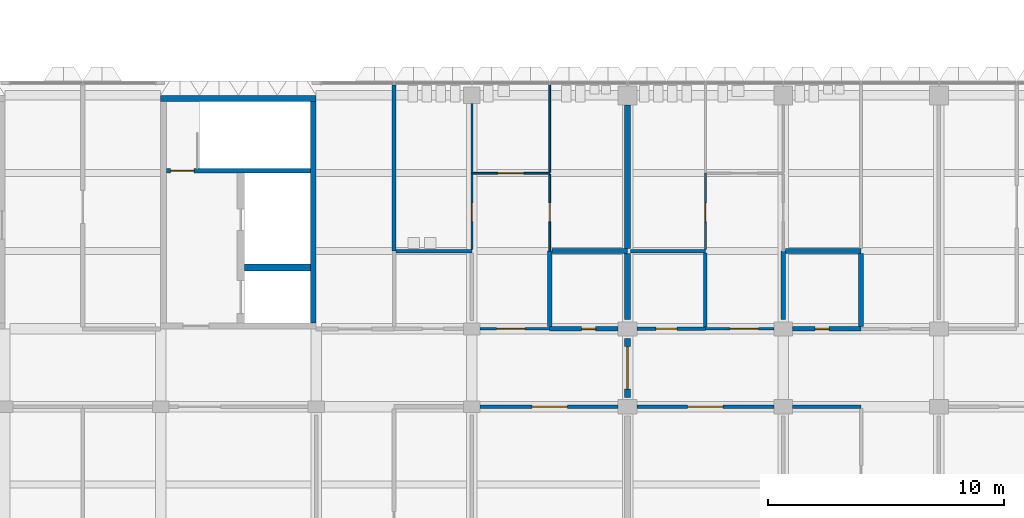
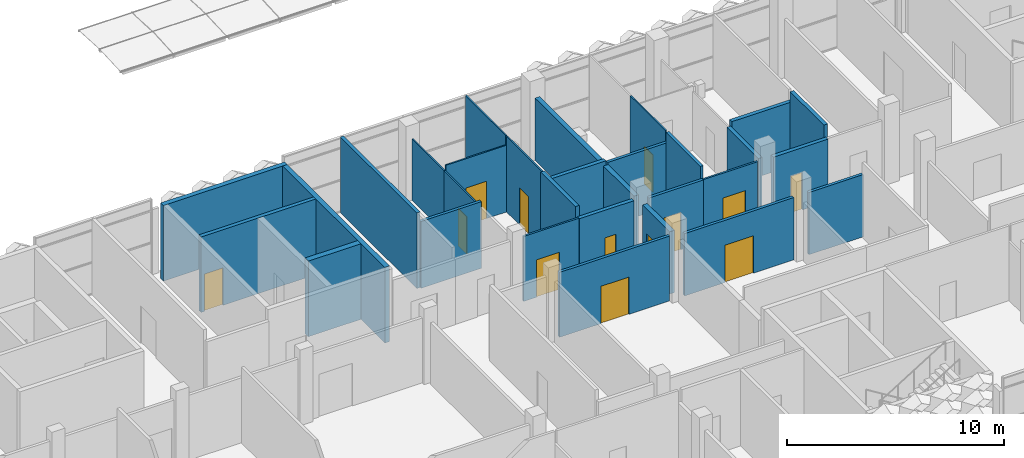
# One storey, part 21 of 61: 30 walls, 13 doors, 13 openings.
"""IFC4 building model written with IfcOpenShell, lengths in metres."""

from ifc_helpers import new_model, si_unit, direction, frame, frame_2d, origin, place, context, subcontext, project, spatial, rectangle, extrude, material, layer, layer_set, type_object, element, fill, save


model = new_model("IFC4")

# Units and contexts
model_context = context("Model", 3, precision=1e-05, world=origin(), true_north=direction((0.0, 1.0)))
body_context = subcontext(model_context, "Body", "Model", "MODEL_VIEW")
ifc_project = project(units=[si_unit("LENGTHUNIT", "METRE"), si_unit("AREAUNIT", "SQUARE_METRE"), si_unit("VOLUMEUNIT", "CUBIC_METRE"), si_unit("PLANEANGLEUNIT", "RADIAN"), si_unit("MASSUNIT", "GRAM", prefix="KILO")], contexts=[model_context])

# Site, building, storey
site_placement = place(None, origin())
site = spatial("IfcSite", under=ifc_project, at=site_placement, CompositionType="ELEMENT")
building_placement = place(site_placement, origin())
building = spatial("IfcBuilding", under=site, at=building_placement, Name="Lantern Court Research Institute", CompositionType="ELEMENT")
storey_placement = place(building_placement, frame((0.0, 0.0, 23.39990234375)))
storey = spatial("IfcBuildingStorey", under=building, at=storey_placement, Name="L05", CompositionType="ELEMENT", Elevation=23.39990234375)

# Wall
ifc_material_1 = material(Name="Double-stud acoustic gypsum board partition, mineral wool filled")
ifc_layer_1 = layer(ifc_material_1, 0.175048828125)
ifc_layer_set_1 = layer_set([ifc_layer_1], Name="Double-stud acoustic gypsum board partition, mineral wool filled")
wall_type_1 = type_object("IfcWallType", Name="Acoustic partition 175 EI 60", PredefinedType="PARTITIONING", material=ifc_layer_set_1)
wall_1_placement = place(storey_placement, frame((42.89990234375, 16.5, 0.0), z_axis=(0.0, 0.0, 1.0), x_axis=(0.0, 1.0, 0.0)))
element("IfcWall", 1, at=wall_1_placement, inside=storey, type_object=wall_type_1, Name="Acoustic partition 175 EI 60", PredefinedType="PARTITIONING", context=body_context, shape_type="SweptSolid", body=[
    extrude(rectangle(XDim=7.050048828125, YDim=0.175048828125, at=frame_2d((3.52490234375, 0.0))), origin(), (0.0, 0.0, 1.0), 4.25),
])

# Wall, opening, door
ifc_material_2 = material(Name="Fire-rated gypsum board partition, mineral wool filled")
ifc_layer_2 = layer(ifc_material_2, 0.199951171875)
ifc_layer_set_2 = layer_set([ifc_layer_2], Name="Fire-rated gypsum board partition, mineral wool filled")
wall_type_2 = type_object("IfcWallType", Name="Compartment wall 200 EI 120", PredefinedType="PARTITIONING", material=ifc_layer_set_2)
wall_2_placement = place(storey_placement, frame((49.5, 13.199951171875, 0.0), z_axis=(0.0, 0.0, 1.0), x_axis=(1.0, 0.0, 0.0)))
wall_2 = element("IfcWall", 2, at=wall_2_placement, inside=storey, type_object=wall_type_2, Name="Compartment wall 200 EI 120", PredefinedType="PARTITIONING", context=body_context, shape_type="SweptSolid", body=[
    extrude(rectangle(XDim=2.89990234375, YDim=0.199951171875, at=frame_2d((1.449951171875, 0.0))), origin(), (0.0, 0.0, 1.0), 3.650146484375),
])
opening_1_placement = place(wall_2_placement, frame((1.35009765625, 0.0, 0.0)))
opening_1 = element("IfcOpeningElement", 3, at=opening_1_placement, cuts=wall_2, Name="Opening D4510", PredefinedType="OPENING", context=body_context, shape_type="SweptSolid", body=[
    extrude(rectangle(XDim=0.60009765625, YDim=2.10009765625, at=frame_2d((0.300048828125, 1.050048828125))), frame((0.0, 0.10986328125, 0.0), z_axis=(0.0, -1.0, 0.0), x_axis=(1.0, 0.0, 0.0)), (0.0, 0.0, 1.0), 0.219970703125),
])
ifc_material_3 = material(Name="Solid-core timber door leaf", Category="wood")
ifc_layer_3 = layer(ifc_material_3, 0.06005859375)
ifc_layer_set_3 = layer_set([ifc_layer_3], Name="Solid-core timber door leaf")
door_type_1 = type_object("IfcDoorType", Name="Service riser door 600 x 2100 single FD60", OperationType="NOTDEFINED", PredefinedType="DOOR", material=ifc_layer_set_3)
door_1_placement = place(opening_1_placement, origin())
door_1 = element("IfcDoor", 4, at=door_1_placement, inside=storey, type_object=door_type_1, Name="Door D4510", OperationType="SINGLE_SWING_RIGHT", OverallHeight=2.10009765625, OverallWidth=0.60009765625, PredefinedType="DOOR", context=body_context, shape_type="SweptSolid", body=[
    extrude(rectangle(XDim=0.60009765625, YDim=2.10009765625, at=frame_2d((0.300048828125, 1.050048828125))), frame((0.0, 0.030029296875, 0.0), z_axis=(0.0, -1.0, 0.0), x_axis=(1.0, 0.0, 0.0)), (0.0, 0.0, 1.0), 0.06005859375),
])
fill(opening_1, door_1)

# Walls
wall_3_placement = place(storey_placement, frame((49.5, 13.300048828125, 0.0), z_axis=(0.0, 0.0, 1.0), x_axis=(0.0, 1.0, 0.0)))
element("IfcWall", 5, at=wall_3_placement, inside=storey, type_object=wall_type_2, Name="Compartment wall 200 EI 120", PredefinedType="PARTITIONING", context=body_context, shape_type="SweptSolid", body=[
    extrude(rectangle(XDim=3.199951171875, YDim=0.199951171875, at=frame_2d((1.60009765625, 0.0))), origin(), (0.0, 0.0, 1.0), 4.25),
])
wall_4_placement = place(storey_placement, frame((52.800048828125, 16.5, 0.0), z_axis=(0.0, 0.0, 1.0), x_axis=(-1.0, 0.0, 0.0)))
element("IfcWall", 6, at=wall_4_placement, inside=storey, type_object=wall_type_2, Name="Compartment wall 200 EI 120", PredefinedType="PARTITIONING", context=body_context, shape_type="SweptSolid", body=[
    extrude(rectangle(XDim=3.199951171875, YDim=0.199951171875, at=frame_2d((1.60009765625, 0.0))), origin(), (0.0, 0.0, 1.0), 3.75),
])

# Wall, opening, door
wall_5_placement = place(storey_placement, frame((59.800048828125, 13.199951171875, 0.0), z_axis=(0.0, 0.0, 1.0), x_axis=(1.0, 0.0, 0.0)))
wall_5 = element("IfcWall", 7, at=wall_5_placement, inside=storey, type_object=wall_type_2, Name="Compartment wall 200 EI 120", PredefinedType="PARTITIONING", context=body_context, shape_type="SweptSolid", body=[
    extrude(rectangle(XDim=2.89990234375, YDim=0.199951171875, at=frame_2d((1.449951171875, 0.0))), origin(), (0.0, 0.0, 1.0), 3.5),
])
opening_2_placement = place(wall_5_placement, frame((0.949951171875, 0.0, 0.0)))
opening_2 = element("IfcOpeningElement", 8, at=opening_2_placement, cuts=wall_5, Name="Opening D5505", PredefinedType="OPENING", context=body_context, shape_type="SweptSolid", body=[
    extrude(rectangle(XDim=0.60009765625, YDim=2.10009765625, at=frame_2d((0.300048828125, 1.050048828125))), frame((0.0, 0.10986328125, 0.0), z_axis=(0.0, -1.0, 0.0), x_axis=(1.0, 0.0, 0.0)), (0.0, 0.0, 1.0), 0.219970703125),
])
door_2_placement = place(opening_2_placement, origin())
door_2 = element("IfcDoor", 9, at=door_2_placement, inside=storey, type_object=door_type_1, Name="Door D5505", OperationType="SINGLE_SWING_RIGHT", OverallHeight=2.10009765625, OverallWidth=0.60009765625, PredefinedType="DOOR", context=body_context, shape_type="SweptSolid", body=[
    extrude(rectangle(XDim=0.60009765625, YDim=2.10009765625, at=frame_2d((0.300048828125, 1.050048828125))), frame((0.0, 0.030029296875, 0.0), z_axis=(0.0, -1.0, 0.0), x_axis=(1.0, 0.0, 0.0)), (0.0, 0.0, 1.0), 0.06005859375),
])
fill(opening_2, door_2)

# Walls
wall_6_placement = place(storey_placement, frame((59.39990234375, 13.60009765625, 0.0), z_axis=(0.0, 0.0, 1.0), x_axis=(0.0, 1.0, 0.0)))
element("IfcWall", 10, at=wall_6_placement, inside=storey, type_object=wall_type_2, Name="Compartment wall 200 EI 120", PredefinedType="PARTITIONING", context=body_context, shape_type="SweptSolid", body=[
    extrude(rectangle(XDim=2.89990234375, YDim=0.199951171875, at=frame_2d((1.449951171875, 0.0))), origin(), (0.0, 0.0, 1.0), 3.300048828125),
])
wall_7_placement = place(storey_placement, frame((62.699951171875, 16.5, 0.0), z_axis=(0.0, 0.0, 1.0), x_axis=(-1.0, 0.0, 0.0)))
element("IfcWall", 11, at=wall_7_placement, inside=storey, type_object=wall_type_2, Name="Compartment wall 200 EI 120", PredefinedType="PARTITIONING", context=body_context, shape_type="SweptSolid", body=[
    extrude(rectangle(XDim=3.199951171875, YDim=0.199951171875, at=frame_2d((1.60009765625, 0.0))), origin(), (0.0, 0.0, 1.0), 3.60009765625),
])
wall_8_placement = place(storey_placement, frame((62.699951171875, 13.300048828125, 0.0), z_axis=(0.0, 0.0, 1.0), x_axis=(0.0, 1.0, 0.0)))
element("IfcWall", 12, at=wall_8_placement, inside=storey, type_object=wall_type_2, Name="Compartment wall 200 EI 120", PredefinedType="PARTITIONING", context=body_context, shape_type="SweptSolid", body=[
    extrude(rectangle(XDim=3.099853515625, YDim=0.199951171875, at=frame_2d((1.5498046875, 0.0))), origin(), (0.0, 0.0, 1.0), 4.2001953125),
])

# Wall, opening, door
ifc_material_4 = material(Name="Fire-rated gypsum board partition, mineral wool filled")
ifc_layer_4 = layer(ifc_material_4, 0.14990234375)
ifc_layer_set_4 = layer_set([ifc_layer_4], Name="Fire-rated gypsum board partition, mineral wool filled")
wall_type_3 = type_object("IfcWallType", Name="Laboratory partition 150 EI 60", PredefinedType="PARTITIONING", material=ifc_layer_set_4)
wall_9_placement = place(storey_placement, frame((46.550048828125, 9.89990234375, 0.0), z_axis=(0.0, 0.0, 1.0), x_axis=(1.0, 0.0, 0.0)))
wall_9 = element("IfcWall", 13, at=wall_9_placement, inside=storey, type_object=wall_type_3, Name="Laboratory partition 150 EI 60", PredefinedType="PARTITIONING", context=body_context, shape_type="SweptSolid", body=[
    extrude(rectangle(XDim=5.849853515625, YDim=0.14990234375, at=frame_2d((2.9248046875, 0.0))), origin(), (0.0, 0.0, 1.0), 3.650146484375),
])
opening_3_placement = place(wall_9_placement, frame((2.199951171875, 0.0, 0.0)))
opening_3 = element("IfcOpeningElement", 14, at=opening_3_placement, cuts=wall_9, Name="Opening D4527", PredefinedType="OPENING", context=body_context, shape_type="SweptSolid", body=[
    extrude(rectangle(XDim=1.5, YDim=2.10009765625, at=frame_2d((0.75, 1.050048828125))), frame((0.0, 0.0849609375, 0.0), z_axis=(0.0, -1.0, 0.0), x_axis=(1.0, 0.0, 0.0)), (0.0, 0.0, 1.0), 0.169921875),
])
ifc_material_5 = material(Name="Solid-core timber door leaf with vision panel", Category="wood")
ifc_layer_5 = layer(ifc_material_5, 0.053955078125)
ifc_layer_set_5 = layer_set([ifc_layer_5], Name="Solid-core timber door leaf with vision panel")
door_type_2 = type_object("IfcDoorType", Name="Laboratory double door 1500 x 2100 pair FD30S", OperationType="DOUBLE_DOOR_SINGLE_SWING", PredefinedType="DOOR", material=ifc_layer_set_5)
door_3_placement = place(opening_3_placement, origin())
door_3 = element("IfcDoor", 15, at=door_3_placement, inside=storey, type_object=door_type_2, Name="Door D4527", OperationType="DOUBLE_DOOR_SINGLE_SWING", OverallHeight=2.10009765625, OverallWidth=1.5, PredefinedType="DOOR", context=body_context, shape_type="SweptSolid", body=[
    extrude(rectangle(XDim=1.5, YDim=2.10009765625, at=frame_2d((0.75, 1.050048828125))), frame((0.0, 0.02685546875, 0.0), z_axis=(0.0, -1.0, 0.0), x_axis=(1.0, 0.0, 0.0)), (0.0, 0.0, 1.0), 0.053955078125),
])
fill(opening_3, door_3)

# Wall
wall_10_placement = place(storey_placement, frame((46.199951171875, 16.5, 0.0), z_axis=(0.0, 0.0, 1.0), x_axis=(-1.0, 0.0, 0.0)))
element("IfcWall", 16, at=wall_10_placement, inside=storey, type_object=wall_type_3, Name="Laboratory partition 150 EI 60", PredefinedType="PARTITIONING", context=body_context, shape_type="SweptSolid", body=[
    extrude(rectangle(XDim=3.21240234375, YDim=0.14990234375, at=frame_2d((1.606201171875, 0.0))), origin(), (0.0, 0.0, 1.0), 3.75),
])

# Wall, opening, door
wall_11_placement = place(storey_placement, frame((56.10009765625, 13.199951171875, 0.0), z_axis=(0.0, 0.0, 1.0), x_axis=(-1.0, 0.0, 0.0)))
wall_11 = element("IfcWall", 17, at=wall_11_placement, inside=storey, type_object=wall_type_3, Name="Laboratory partition 150 EI 60", PredefinedType="PARTITIONING", context=body_context, shape_type="SweptSolid", body=[
    extrude(rectangle(XDim=2.900146484375, YDim=0.14990234375, at=frame_2d((1.4501953125, 0.0))), origin(), (0.0, 0.0, 1.0), 3.5),
])
opening_4_placement = place(wall_11_placement, frame((1.199951171875, 0.0, 0.0)))
opening_4 = element("IfcOpeningElement", 18, at=opening_4_placement, cuts=wall_11, Name="Opening D5501", PredefinedType="OPENING", context=body_context, shape_type="SweptSolid", body=[
    extrude(rectangle(XDim=0.89990234375, YDim=2.10009765625, at=frame_2d((0.449951171875, 1.050048828125))), frame((0.0, 0.0849609375, 0.0), z_axis=(0.0, -1.0, 0.0), x_axis=(1.0, 0.0, 0.0)), (0.0, 0.0, 1.0), 0.169921875),
])
ifc_material_6 = material(Name="Solid-core timber door leaf", Category="wood")
ifc_layer_6 = layer(ifc_material_6, 0.053955078125)
ifc_layer_set_6 = layer_set([ifc_layer_6], Name="Solid-core timber door leaf")
door_type_3 = type_object("IfcDoorType", Name="Cleaners store door 900 x 2100 single FD30S", OperationType="NOTDEFINED", PredefinedType="DOOR", material=ifc_layer_set_6)
door_4_placement = place(opening_4_placement, origin())
door_4 = element("IfcDoor", 19, at=door_4_placement, inside=storey, type_object=door_type_3, Name="Door D5501", OperationType="SINGLE_SWING_LEFT", OverallHeight=2.10009765625, OverallWidth=0.89990234375, PredefinedType="DOOR", context=body_context, shape_type="SweptSolid", body=[
    extrude(rectangle(XDim=0.89990234375, YDim=2.10009765625, at=frame_2d((0.449951171875, 1.050048828125))), frame((0.0, 0.02685546875, 0.0), z_axis=(0.0, -1.0, 0.0), x_axis=(1.0, 0.0, 0.0)), (0.0, 0.0, 1.0), 0.053955078125),
])
fill(opening_4, door_4)

wall_12_placement = place(storey_placement, frame((53.199951171875, 9.89990234375, 0.0), z_axis=(0.0, 0.0, 1.0), x_axis=(1.0, 0.0, 0.0)))
wall_12 = element("IfcWall", 20, at=wall_12_placement, inside=storey, type_object=wall_type_3, Name="Laboratory partition 150 EI 60", PredefinedType="PARTITIONING", context=body_context, shape_type="SweptSolid", body=[
    extrude(rectangle(XDim=5.800048828125, YDim=0.14990234375, at=frame_2d((2.89990234375, 0.0))), origin(), (0.0, 0.0, 1.0), 3.5),
])
opening_5_placement = place(wall_12_placement, frame((2.14990234375, 0.0, 0.0)))
opening_5 = element("IfcOpeningElement", 21, at=opening_5_placement, cuts=wall_12, Name="Opening D5513", PredefinedType="OPENING", context=body_context, shape_type="SweptSolid", body=[
    extrude(rectangle(XDim=1.5, YDim=2.10009765625, at=frame_2d((0.75, 1.050048828125))), frame((0.0, 0.0849609375, 0.0), z_axis=(0.0, -1.0, 0.0), x_axis=(1.0, 0.0, 0.0)), (0.0, 0.0, 1.0), 0.169921875),
])
door_5_placement = place(opening_5_placement, origin())
door_5 = element("IfcDoor", 22, at=door_5_placement, inside=storey, type_object=door_type_2, Name="Door D5513", OperationType="DOUBLE_DOOR_SINGLE_SWING", OverallHeight=2.10009765625, OverallWidth=1.5, PredefinedType="DOOR", context=body_context, shape_type="SweptSolid", body=[
    extrude(rectangle(XDim=1.5, YDim=2.10009765625, at=frame_2d((0.75, 1.050048828125))), frame((0.0, 0.02685546875, 0.0), z_axis=(0.0, -1.0, 0.0), x_axis=(1.0, 0.0, 0.0)), (0.0, 0.0, 1.0), 0.053955078125),
])
fill(opening_5, door_5)

# Walls
wall_13_placement = place(storey_placement, frame((59.800048828125, 9.89990234375, 0.0), z_axis=(0.0, 0.0, 1.0), x_axis=(1.0, 0.0, 0.0)))
element("IfcWall", 23, at=wall_13_placement, inside=storey, type_object=wall_type_3, Name="Laboratory partition 150 EI 60", PredefinedType="PARTITIONING", context=body_context, shape_type="SweptSolid", body=[
    extrude(rectangle(XDim=2.89990234375, YDim=0.14990234375, at=frame_2d((1.449951171875, 0.0))), origin(), (0.0, 0.0, 1.0), 3.5),
])
wall_14_placement = place(storey_placement, frame((56.10009765625, 16.5, 0.0), z_axis=(0.0, 0.0, 1.0), x_axis=(-1.0, 0.0, 0.0)))
element("IfcWall", 24, at=wall_14_placement, inside=storey, type_object=wall_type_3, Name="Laboratory partition 150 EI 60", PredefinedType="PARTITIONING", context=body_context, shape_type="SweptSolid", body=[
    extrude(rectangle(XDim=3.175048828125, YDim=0.14990234375, at=frame_2d((1.58740234375, 0.0))), origin(), (0.0, 0.0, 1.0), 3.60009765625),
])
wall_15_placement = place(storey_placement, frame((56.10009765625, 13.27490234375, 0.0), z_axis=(0.0, 0.0, 1.0), x_axis=(0.0, 1.0, 0.0)))
element("IfcWall", 25, at=wall_15_placement, inside=storey, type_object=wall_type_3, Name="Laboratory partition 150 EI 60", PredefinedType="PARTITIONING", context=body_context, shape_type="SweptSolid", body=[
    extrude(rectangle(XDim=3.150146484375, YDim=0.14990234375, at=frame_2d((1.5751953125, 0.0))), origin(), (0.0, 0.0, 1.0), 4.2001953125),
])

# Wall, opening, door
ifc_material_7 = material(Name="Gypsum board partition, mineral wool filled")
ifc_layer_7 = layer(ifc_material_7, 0.10009765625)
ifc_layer_set_7 = layer_set([ifc_layer_7], Name="Gypsum board partition, mineral wool filled")
wall_type_4 = type_object("IfcWallType", Name="Partition 100", PredefinedType="PARTITIONING", material=ifc_layer_set_7)
wall_16_placement = place(storey_placement, frame((46.550048828125, 13.199951171875, 0.0), z_axis=(0.0, 0.0, 1.0), x_axis=(1.0, 0.0, 0.0)))
wall_16 = element("IfcWall", 26, at=wall_16_placement, inside=storey, type_object=wall_type_4, Name="Partition 100", PredefinedType="PARTITIONING", context=body_context, shape_type="SweptSolid", body=[
    extrude(rectangle(XDim=2.949951171875, YDim=0.10009765625, at=frame_2d((1.47509765625, 0.0))), origin(), (0.0, 0.0, 1.0), 3.650146484375),
])
opening_6_placement = place(wall_16_placement, frame((0.699951171875, 0.0, 0.0)))
opening_6 = element("IfcOpeningElement", 27, at=opening_6_placement, cuts=wall_16, Name="Opening D4508", PredefinedType="OPENING", context=body_context, shape_type="SweptSolid", body=[
    extrude(rectangle(XDim=1.199951171875, YDim=2.10009765625, at=frame_2d((0.60009765625, 1.050048828125))), frame((0.0, 0.06005859375, 0.0), z_axis=(0.0, -1.0, 0.0), x_axis=(1.0, 0.0, 0.0)), (0.0, 0.0, 1.0), 0.1201171875),
])
ifc_material_8 = material(Name="Solid-core timber door leaf", Category="wood")
ifc_layer_8 = layer(ifc_material_8, 0.0439453125)
ifc_layer_set_8 = layer_set([ifc_layer_8], Name="Solid-core timber door leaf")
door_type_4 = type_object("IfcDoorType", Name="WC vestibule door 1200 x 2100 single NOT RATED", OperationType="NOTDEFINED", PredefinedType="DOOR", material=ifc_layer_set_8)
door_6_placement = place(opening_6_placement, origin())
door_6 = element("IfcDoor", 28, at=door_6_placement, inside=storey, type_object=door_type_4, Name="Door D4508", OperationType="SINGLE_SWING_RIGHT", OverallHeight=2.10009765625, OverallWidth=1.199951171875, PredefinedType="DOOR", context=body_context, shape_type="SweptSolid", body=[
    extrude(rectangle(XDim=1.199951171875, YDim=2.10009765625, at=frame_2d((0.60009765625, 1.050048828125))), frame((0.0, 0.02197265625, 0.0), z_axis=(0.0, -1.0, 0.0), x_axis=(1.0, 0.0, 0.0)), (0.0, 0.0, 1.0), 0.0439453125),
])
fill(opening_6, door_6)

wall_17_placement = place(storey_placement, frame((56.10009765625, 13.199951171875, 0.0), z_axis=(0.0, 0.0, 1.0), x_axis=(1.0, 0.0, 0.0)))
wall_17 = element("IfcWall", 29, at=wall_17_placement, inside=storey, type_object=wall_type_4, Name="Partition 100", PredefinedType="PARTITIONING", context=body_context, shape_type="SweptSolid", body=[
    extrude(rectangle(XDim=2.89990234375, YDim=0.10009765625, at=frame_2d((1.449951171875, 0.0))), origin(), (0.0, 0.0, 1.0), 3.5),
])
opening_7_placement = place(wall_17_placement, frame((1.050048828125, 0.0, 0.0)))
opening_7 = element("IfcOpeningElement", 30, at=opening_7_placement, cuts=wall_17, Name="Opening D5503", PredefinedType="OPENING", context=body_context, shape_type="SweptSolid", body=[
    extrude(rectangle(XDim=1.199951171875, YDim=2.10009765625, at=frame_2d((0.60009765625, 1.050048828125))), frame((0.0, 0.06005859375, 0.0), z_axis=(0.0, -1.0, 0.0), x_axis=(1.0, 0.0, 0.0)), (0.0, 0.0, 1.0), 0.1201171875),
])
door_7_placement = place(opening_7_placement, origin())
door_7 = element("IfcDoor", 31, at=door_7_placement, inside=storey, type_object=door_type_4, Name="Door D5503", OperationType="SINGLE_SWING_RIGHT", OverallHeight=2.10009765625, OverallWidth=1.199951171875, PredefinedType="DOOR", context=body_context, shape_type="SweptSolid", body=[
    extrude(rectangle(XDim=1.199951171875, YDim=2.10009765625, at=frame_2d((0.60009765625, 1.050048828125))), frame((0.0, 0.02197265625, 0.0), z_axis=(0.0, -1.0, 0.0), x_axis=(1.0, 0.0, 0.0)), (0.0, 0.0, 1.0), 0.0439453125),
])
fill(opening_7, door_7)

ifc_material_9 = material(Name="Fire-rated gypsum board partition, double stud, mineral wool filled")
ifc_layer_9 = layer(ifc_material_9, 0.25)
ifc_layer_set_9 = layer_set([ifc_layer_9], Name="Fire-rated gypsum board partition, double stud, mineral wool filled")
wall_type_5 = type_object("IfcWallType", Name="Plant compartment wall 250 EI 120", PredefinedType="PARTITIONING", material=ifc_layer_set_9)
wall_18_placement = place(storey_placement, frame((52.800048828125, 10.300048828125, 0.0), z_axis=(0.0, 0.0, 1.0), x_axis=(0.0, 1.0, 0.0)))
wall_18 = element("IfcWall", 32, at=wall_18_placement, inside=storey, type_object=wall_type_5, Name="Plant compartment wall 250 EI 120", PredefinedType="PARTITIONING", context=body_context, shape_type="SweptSolid", body=[
    extrude(rectangle(XDim=2.5, YDim=0.25, at=frame_2d((1.25, 0.0))), origin(), (0.0, 0.0, 1.0), 3.5),
])
opening_8_placement = place(wall_18_placement, frame((0.35009765625, 0.0, 0.0)))
opening_8 = element("IfcOpeningElement", 33, at=opening_8_placement, cuts=wall_18, Name="Opening D4501", PredefinedType="OPENING", context=body_context, shape_type="SweptSolid", body=[
    extrude(rectangle(XDim=1.800048828125, YDim=2.10009765625, at=frame_2d((0.89990234375, 1.050048828125))), frame((0.0, 0.135009765625, 0.0), z_axis=(0.0, -1.0, 0.0), x_axis=(1.0, 0.0, 0.0)), (0.0, 0.0, 1.0), 0.27001953125),
])
ifc_material_10 = material(Name="Solid-core timber door leaf", Category="wood")
ifc_layer_10 = layer(ifc_material_10, 0.06005859375)
ifc_layer_set_10 = layer_set([ifc_layer_10], Name="Solid-core timber door leaf")
door_type_5 = type_object("IfcDoorType", Name="Corridor fire door pair door 1800 x 2100 pair FD60", OperationType="DOUBLE_DOOR_SINGLE_SWING", PredefinedType="DOOR", material=ifc_layer_set_10)
door_8_placement = place(opening_8_placement, origin())
door_8 = element("IfcDoor", 34, at=door_8_placement, inside=storey, type_object=door_type_5, Name="Door D4501", OperationType="DOUBLE_DOOR_SINGLE_SWING", OverallHeight=2.10009765625, OverallWidth=1.800048828125, PredefinedType="DOOR", context=body_context, shape_type="SweptSolid", body=[
    extrude(rectangle(XDim=1.800048828125, YDim=2.10009765625, at=frame_2d((0.89990234375, 1.050048828125))), frame((0.0, 0.030029296875, 0.0), z_axis=(0.0, -1.0, 0.0), x_axis=(1.0, 0.0, 0.0)), (0.0, 0.0, 1.0), 0.06005859375),
])
fill(opening_8, door_8)

# Walls
wall_19_placement = place(storey_placement, frame((52.800048828125, 13.60009765625, 0.0), z_axis=(0.0, 0.0, 1.0), x_axis=(0.0, 1.0, 0.0)))
element("IfcWall", 35, at=wall_19_placement, inside=storey, type_object=wall_type_5, Name="Plant compartment wall 250 EI 120", PredefinedType="PARTITIONING", context=body_context, shape_type="SweptSolid", body=[
    extrude(rectangle(XDim=2.7998046875, YDim=0.25, at=frame_2d((1.39990234375, 0.0))), origin(), (0.0, 0.0, 1.0), 3.5),
])
wall_20_placement = place(storey_placement, frame((52.800048828125, 16.60009765625, 0.0), z_axis=(0.0, 0.0, 1.0), x_axis=(0.0, 1.0, 0.0)))
element("IfcWall", 36, at=wall_20_placement, inside=storey, type_object=wall_type_5, Name="Plant compartment wall 250 EI 120", PredefinedType="PARTITIONING", context=body_context, shape_type="SweptSolid", body=[
    extrude(rectangle(XDim=6.099853515625, YDim=0.25, at=frame_2d((3.0498046875, 0.0))), origin(), (0.0, 0.0, 1.0), 3.5),
])
ifc_material_11 = material(Name="Concrete C40/50", Category="concrete")
ifc_layer_11 = layer(ifc_material_11, 0.25)
ifc_layer_set_11 = layer_set([ifc_layer_11], Name="Concrete C40/50")
wall_type_6 = type_object("IfcWallType", Name="RC core wall 250", PredefinedType="SHEAR", material=ifc_layer_set_11)
wall_21_placement = place(storey_placement, frame((39.47509765625, 13.449951171875, 0.0), z_axis=(0.0, 0.0, 1.0), x_axis=(0.0, 1.0, 0.0)))
element("IfcWall", 37, at=wall_21_placement, inside=storey, type_object=wall_type_6, Name="East wall of core BC-E", PredefinedType="SHEAR", context=body_context, shape_type="SweptSolid", body=[
    extrude(rectangle(XDim=9.400146484375, YDim=0.25, at=frame_2d((4.7001953125, 0.0))), origin(), (0.0, 0.0, 1.0), 4.25),
])
ifc_material_12 = material(Name="Concrete C40/50", Category="concrete")
ifc_layer_12 = layer(ifc_material_12, 0.25)
ifc_layer_set_12 = layer_set([ifc_layer_12], Name="Concrete C40/50")
wall_type_7 = type_object("IfcWallType", Name="RC core wall 250 facade", PredefinedType="SHEAR", material=ifc_layer_set_12)
wall_22_placement = place(storey_placement, frame((33.0, 22.97509765625, 0.0), z_axis=(0.0, 0.0, 1.0), x_axis=(1.0, 0.0, 0.0)))
element("IfcWall", 38, at=wall_22_placement, inside=storey, type_object=wall_type_7, Name="North wall of core BC-E", PredefinedType="SHEAR", context=body_context, shape_type="SweptSolid", body=[
    extrude(rectangle(XDim=6.60009765625, YDim=0.25, at=frame_2d((3.300048828125, 0.0))), origin(), (0.0, 0.0, 1.0), 4.25),
])

# Wall, opening, door
ifc_material_13 = material(Name="Concrete C40/50", Category="concrete")
ifc_layer_13 = layer(ifc_material_13, 0.199951171875)
ifc_layer_set_13 = layer_set([ifc_layer_13], Name="Concrete C40/50")
wall_type_8 = type_object("IfcWallType", Name="RC shaft wall 200", PredefinedType="SHEAR", material=ifc_layer_set_13)
wall_23_placement = place(storey_placement, frame((33.25, 19.89990234375, 0.0), z_axis=(0.0, 0.0, 1.0), x_axis=(1.0, 0.0, 0.0)))
wall_23 = element("IfcWall", 39, at=wall_23_placement, inside=storey, type_object=wall_type_8, Name="Stair wall of core BC-E", PredefinedType="SHEAR", context=body_context, shape_type="SweptSolid", body=[
    extrude(rectangle(XDim=6.10009765625, YDim=0.199951171875, at=frame_2d((3.050048828125, 0.0))), origin(), (0.0, 0.0, 1.0), 4.25),
])
opening_9_placement = place(wall_23_placement, frame((0.175048828125, 0.0, 0.0)))
opening_9 = element("IfcOpeningElement", 40, at=opening_9_placement, cuts=wall_23, Name="Opening D7093", PredefinedType="OPENING", context=body_context, shape_type="SweptSolid", body=[
    extrude(rectangle(XDim=1.0, YDim=2.10009765625, at=frame_2d((0.5, 1.050048828125))), frame((0.0, 0.10986328125, 0.0), z_axis=(0.0, -1.0, 0.0), x_axis=(1.0, 0.0, 0.0)), (0.0, 0.0, 1.0), 0.219970703125),
])
ifc_material_14 = material(Name="Steel fire door leaf with smoke seals", Category="steel")
door_type_6 = type_object("IfcDoorType", Name="Door 1000 x 2100 fire rated FD60S", OperationType="NOTDEFINED", PredefinedType="DOOR", material=ifc_material_14)
door_9_placement = place(opening_9_placement, origin())
door_9 = element("IfcDoor", 41, at=door_9_placement, inside=storey, type_object=door_type_6, Name="Stair door", OperationType="SINGLE_SWING_RIGHT", OverallHeight=2.10009765625, OverallWidth=1.0, PredefinedType="DOOR", context=body_context, shape_type="SweptSolid", body=[
    extrude(rectangle(XDim=1.0, YDim=2.10009765625, at=frame_2d((0.5, 1.050048828125))), frame((0.0, 0.02490234375, 0.0), z_axis=(0.0, -1.0, 0.0), x_axis=(1.0, 0.0, 0.0)), (0.0, 0.0, 1.0), 0.050048828125),
])
fill(opening_9, door_9)

# Wall
ifc_material_15 = material(Name="Concrete C40/50", Category="concrete")
ifc_layer_14 = layer(ifc_material_15, 0.300048828125)
ifc_layer_set_14 = layer_set([ifc_layer_14], Name="Concrete C40/50")
wall_type_9 = type_object("IfcWallType", Name="RC shaft wall 300", PredefinedType="SHEAR", material=ifc_layer_set_14)
wall_24_placement = place(storey_placement, frame((36.550048828125, 15.800048828125, 0.0), z_axis=(0.0, 0.0, 1.0), x_axis=(1.0, 0.0, 0.0)))
element("IfcWall", 42, at=wall_24_placement, inside=storey, type_object=wall_type_9, Name="Lift shaft wall of core BC-E", PredefinedType="SHEAR", context=body_context, shape_type="SweptSolid", body=[
    extrude(rectangle(XDim=2.800048828125, YDim=0.300048828125, at=frame_2d((1.39990234375, 0.0))), origin(), (0.0, 0.0, 1.0), 4.25),
])

# Wall, opening, door
ifc_material_16 = material(Name="Gypsum board partition, mineral wool filled")
ifc_layer_15 = layer(ifc_material_16, 0.074951171875)
ifc_layer_set_15 = layer_set([ifc_layer_15], Name="Gypsum board partition, mineral wool filled")
wall_type_10 = type_object("IfcWallType", Name="Wet room partition 75", PredefinedType="PARTITIONING", material=ifc_layer_set_15)
wall_25_placement = place(storey_placement, frame((46.199951171875, 16.574951171875, 0.0), z_axis=(0.0, 0.0, 1.0), x_axis=(0.0, 1.0, 0.0)))
wall_25 = element("IfcWall", 43, at=wall_25_placement, inside=storey, type_object=wall_type_10, Name="Wet room partition 75", PredefinedType="PARTITIONING", context=body_context, shape_type="SweptSolid", body=[
    extrude(rectangle(XDim=3.22509765625, YDim=0.074951171875, at=frame_2d((1.612548828125, 0.0))), origin(), (0.0, 0.0, 1.0), 3.4501953125),
])
opening_10_placement = place(wall_25_placement, frame((1.175048828125, 0.0, 0.0)))
opening_10 = element("IfcOpeningElement", 44, at=opening_10_placement, cuts=wall_25, Name="Opening D4507", PredefinedType="OPENING", context=body_context, shape_type="SweptSolid", body=[
    extrude(rectangle(XDim=0.800048828125, YDim=2.10009765625, at=frame_2d((0.39990234375, 1.050048828125))), frame((0.0, 0.04736328125, 0.0), z_axis=(0.0, -1.0, 0.0), x_axis=(1.0, 0.0, 0.0)), (0.0, 0.0, 1.0), 0.094970703125),
])
ifc_material_17 = material(Name="Solid-core timber door leaf", Category="wood")
ifc_layer_16 = layer(ifc_material_17, 0.0439453125)
ifc_layer_set_16 = layer_set([ifc_layer_16], Name="Solid-core timber door leaf")
door_type_7 = type_object("IfcDoorType", Name="WC door 800 x 2100 single NOT RATED", OperationType="NOTDEFINED", PredefinedType="DOOR", material=ifc_layer_set_16)
door_10_placement = place(opening_10_placement, origin())
door_10 = element("IfcDoor", 45, at=door_10_placement, inside=storey, type_object=door_type_7, Name="Door D4507", OperationType="SINGLE_SWING_LEFT", OverallHeight=2.10009765625, OverallWidth=0.800048828125, PredefinedType="DOOR", context=body_context, shape_type="SweptSolid", body=[
    extrude(rectangle(XDim=0.800048828125, YDim=2.10009765625, at=frame_2d((0.39990234375, 1.050048828125))), frame((0.0, 0.02197265625, 0.0), z_axis=(0.0, -1.0, 0.0), x_axis=(1.0, 0.0, 0.0)), (0.0, 0.0, 1.0), 0.0439453125),
])
fill(opening_10, door_10)

# Wall
wall_26_placement = place(storey_placement, frame((46.199951171875, 19.800048828125, 0.0), z_axis=(0.0, 0.0, 1.0), x_axis=(0.0, 1.0, 0.0)))
element("IfcWall", 46, at=wall_26_placement, inside=storey, type_object=wall_type_10, Name="Wet room partition 75", PredefinedType="PARTITIONING", context=body_context, shape_type="SweptSolid", body=[
    extrude(rectangle(XDim=2.949951171875, YDim=0.074951171875, at=frame_2d((1.47509765625, 0.0))), origin(), (0.0, 0.0, 1.0), 3.4501953125),
])

# Wall, opening, door
wall_27_placement = place(storey_placement, frame((46.237548828125, 19.800048828125, 0.0), z_axis=(0.0, 0.0, 1.0), x_axis=(1.0, 0.0, 0.0)))
wall_27 = element("IfcWall", 47, at=wall_27_placement, inside=storey, type_object=wall_type_10, Name="Wet room partition 75", PredefinedType="PARTITIONING", context=body_context, shape_type="SweptSolid", body=[
    extrude(rectangle(XDim=3.262451171875, YDim=0.074951171875, at=frame_2d((1.63134765625, 0.0))), origin(), (0.0, 0.0, 1.0), 3.75),
])
opening_11_placement = place(wall_27_placement, frame((1.0625, 0.0, 0.0)))
opening_11 = element("IfcOpeningElement", 48, at=opening_11_placement, cuts=wall_27, Name="Opening D4509", PredefinedType="OPENING", context=body_context, shape_type="SweptSolid", body=[
    extrude(rectangle(XDim=1.10009765625, YDim=2.10009765625, at=frame_2d((0.550048828125, 1.050048828125))), frame((0.0, 0.04736328125, 0.0), z_axis=(0.0, -1.0, 0.0), x_axis=(1.0, 0.0, 0.0)), (0.0, 0.0, 1.0), 0.094970703125),
])
ifc_material_18 = material(Name="Solid-core timber door leaf", Category="wood")
ifc_layer_17 = layer(ifc_material_18, 0.0439453125)
ifc_layer_set_17 = layer_set([ifc_layer_17], Name="Solid-core timber door leaf")
door_type_8 = type_object("IfcDoorType", Name="Accessible WC door 1100 x 2100 single NOT RATED", OperationType="NOTDEFINED", PredefinedType="DOOR", material=ifc_layer_set_17)
door_11_placement = place(opening_11_placement, origin())
door_11 = element("IfcDoor", 49, at=door_11_placement, inside=storey, type_object=door_type_8, Name="Door D4509", OperationType="SINGLE_SWING_RIGHT", OverallHeight=2.10009765625, OverallWidth=1.10009765625, PredefinedType="DOOR", context=body_context, shape_type="SweptSolid", body=[
    extrude(rectangle(XDim=1.10009765625, YDim=2.10009765625, at=frame_2d((0.550048828125, 1.050048828125))), frame((0.0, 0.02197265625, 0.0), z_axis=(0.0, -1.0, 0.0), x_axis=(1.0, 0.0, 0.0)), (0.0, 0.0, 1.0), 0.0439453125),
])
fill(opening_11, door_11)

wall_28_placement = place(storey_placement, frame((49.5, 19.762451171875, 0.0), z_axis=(0.0, 0.0, 1.0), x_axis=(0.0, -1.0, 0.0)))
wall_28 = element("IfcWall", 50, at=wall_28_placement, inside=storey, type_object=wall_type_10, Name="Wet room partition 75", PredefinedType="PARTITIONING", context=body_context, shape_type="SweptSolid", body=[
    extrude(rectangle(XDim=3.262451171875, YDim=0.074951171875, at=frame_2d((1.63134765625, 0.0))), origin(), (0.0, 0.0, 1.0), 4.25),
])
opening_12_placement = place(wall_28_placement, frame((1.21240234375, 0.0, 0.0)))
opening_12 = element("IfcOpeningElement", 51, at=opening_12_placement, cuts=wall_28, Name="Opening D4511", PredefinedType="OPENING", context=body_context, shape_type="SweptSolid", body=[
    extrude(rectangle(XDim=0.800048828125, YDim=2.10009765625, at=frame_2d((0.39990234375, 1.050048828125))), frame((0.0, 0.04736328125, 0.0), z_axis=(0.0, -1.0, 0.0), x_axis=(1.0, 0.0, 0.0)), (0.0, 0.0, 1.0), 0.094970703125),
])
door_12_placement = place(opening_12_placement, origin())
door_12 = element("IfcDoor", 52, at=door_12_placement, inside=storey, type_object=door_type_7, Name="Door D4511", OperationType="SINGLE_SWING_RIGHT", OverallHeight=2.10009765625, OverallWidth=0.800048828125, PredefinedType="DOOR", context=body_context, shape_type="SweptSolid", body=[
    extrude(rectangle(XDim=0.800048828125, YDim=2.10009765625, at=frame_2d((0.39990234375, 1.050048828125))), frame((0.0, 0.02197265625, 0.0), z_axis=(0.0, -1.0, 0.0), x_axis=(1.0, 0.0, 0.0)), (0.0, 0.0, 1.0), 0.0439453125),
])
fill(opening_12, door_12)

# Wall
wall_29_placement = place(storey_placement, frame((49.5, 19.83740234375, 0.0), z_axis=(0.0, 0.0, 1.0), x_axis=(0.0, 1.0, 0.0)))
element("IfcWall", 53, at=wall_29_placement, inside=storey, type_object=wall_type_10, Name="Wet room partition 75", PredefinedType="PARTITIONING", context=body_context, shape_type="SweptSolid", body=[
    extrude(rectangle(XDim=3.712646484375, YDim=0.074951171875, at=frame_2d((1.8564453125, 0.0))), origin(), (0.0, 0.0, 1.0), 4.25),
])

# Wall, opening, door
wall_30_placement = place(storey_placement, frame((56.10009765625, 16.574951171875, 0.0), z_axis=(0.0, 0.0, 1.0), x_axis=(0.0, 1.0, 0.0)))
wall_30 = element("IfcWall", 54, at=wall_30_placement, inside=storey, type_object=wall_type_10, Name="Wet room partition 75", PredefinedType="PARTITIONING", context=body_context, shape_type="SweptSolid", body=[
    extrude(rectangle(XDim=3.22509765625, YDim=0.074951171875, at=frame_2d((1.612548828125, 0.0))), origin(), (0.0, 0.0, 1.0), 4.2001953125),
])
opening_13_placement = place(wall_30_placement, frame((1.175048828125, 0.0, 0.0)))
opening_13 = element("IfcOpeningElement", 55, at=opening_13_placement, cuts=wall_30, Name="Opening D5502", PredefinedType="OPENING", context=body_context, shape_type="SweptSolid", body=[
    extrude(rectangle(XDim=0.800048828125, YDim=2.10009765625, at=frame_2d((0.39990234375, 1.050048828125))), frame((0.0, 0.04736328125, 0.0), z_axis=(0.0, -1.0, 0.0), x_axis=(1.0, 0.0, 0.0)), (0.0, 0.0, 1.0), 0.094970703125),
])
door_13_placement = place(opening_13_placement, origin())
door_13 = element("IfcDoor", 56, at=door_13_placement, inside=storey, type_object=door_type_7, Name="Door D5502", OperationType="SINGLE_SWING_LEFT", OverallHeight=2.10009765625, OverallWidth=0.800048828125, PredefinedType="DOOR", context=body_context, shape_type="SweptSolid", body=[
    extrude(rectangle(XDim=0.800048828125, YDim=2.10009765625, at=frame_2d((0.39990234375, 1.050048828125))), frame((0.0, 0.02197265625, 0.0), z_axis=(0.0, -1.0, 0.0), x_axis=(1.0, 0.0, 0.0)), (0.0, 0.0, 1.0), 0.0439453125),
])
fill(opening_13, door_13)

save(model, "model.ifc")
